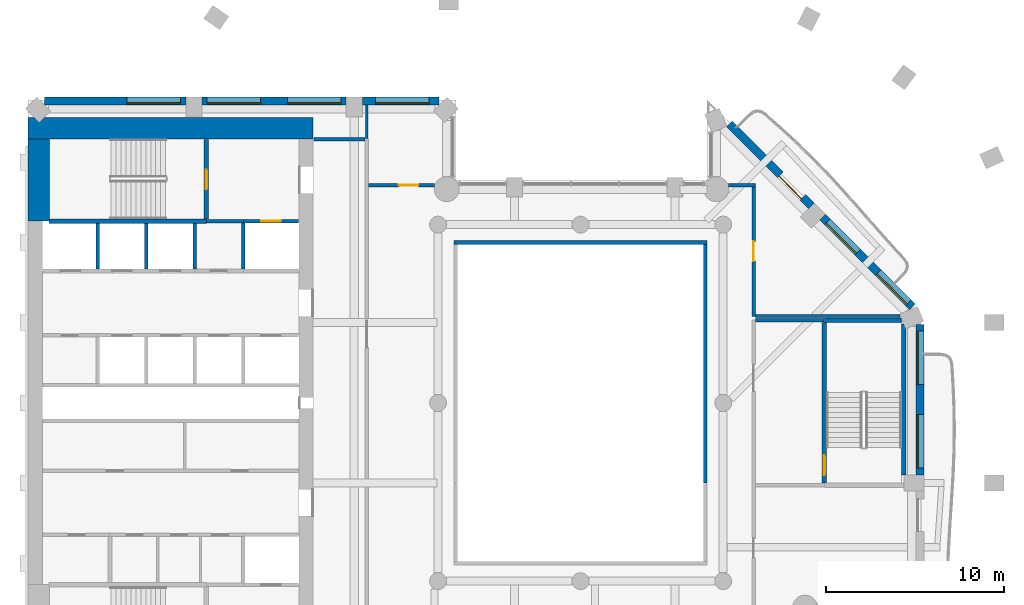
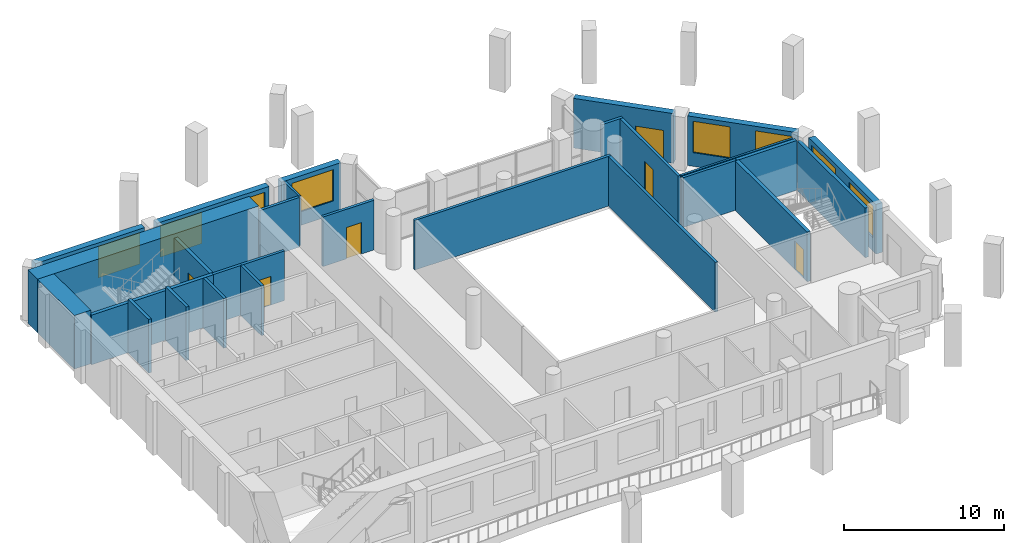
# One storey, part 6 of 13: 28 walls, 8 windows, 6 doors, 14 openings.
"""IFC4 building model written with IfcOpenShell, lengths in metres."""

from ifc_helpers import new_model, si_unit, direction, frame, frame_2d, origin, place, context, subcontext, project, spatial, rectangle, extrude, material, layer, layer_set, type_object, element, fill, save


model = new_model("IFC4")

# Units and contexts
model_context = context("Model", 3, precision=1e-05, world=origin(), true_north=direction((0.0, 1.0)))
body_context = subcontext(model_context, "Body", "Model", "MODEL_VIEW")
ifc_project = project(units=[si_unit("LENGTHUNIT", "METRE"), si_unit("AREAUNIT", "SQUARE_METRE"), si_unit("VOLUMEUNIT", "CUBIC_METRE"), si_unit("PLANEANGLEUNIT", "RADIAN"), si_unit("MASSUNIT", "GRAM", prefix="KILO")], contexts=[model_context])

# Site, building, storey
site_placement = place(None, origin())
site = spatial("IfcSite", under=ifc_project, at=site_placement, CompositionType="ELEMENT")
building_placement = place(site_placement, origin())
building = spatial("IfcBuilding", under=site, at=building_placement, Name="Cypress Arch Tower", CompositionType="ELEMENT")
storey_placement = place(building_placement, frame((0.0, 0.0, 209.699951171875)))
storey = spatial("IfcBuildingStorey", under=building, at=storey_placement, Name="L46", CompositionType="ELEMENT", Elevation=209.699951171875)

# Wall, openings, windows
ifc_material_1 = material(Name="Brick (red buff blend)", Category="masonry")
ifc_layer_1 = layer(ifc_material_1, 0.449951171875)
ifc_layer_set_1 = layer_set([ifc_layer_1], Name="Brick pier and spandrel wall BW450")
wall_type_1 = type_object("IfcWallType", Name="Brick pier and spandrel wall BW450", PredefinedType="SOLIDWALL", material=ifc_layer_set_1)
wall_1_placement = place(storey_placement, frame((20.02490234375, -4.050048828125, 0.0), z_axis=(0.0, 0.0, 1.0), x_axis=(0.0, 1.0, 0.0)))
wall_1 = element("IfcWall", 1, at=wall_1_placement, inside=storey, type_object=wall_type_1, Name="Brick wall L46 B04.1", PredefinedType="SOLIDWALL", context=body_context, shape_type="SweptSolid", body=[
    extrude(rectangle(XDim=8.438720703125, YDim=0.449951171875, at=frame_2d((4.21923828125, 0.0))), origin(), (0.0, 0.0, 1.0), 3.800048828125),
])
opening_1_placement = place(wall_1_placement, frame((0.39404296875, 0.0, 1.050048828125)))
opening_1 = element("IfcOpeningElement", 2, at=opening_1_placement, cuts=wall_1, Name="Opening W300OD", PredefinedType="OPENING", context=body_context, shape_type="SweptSolid", body=[
    extrude(rectangle(XDim=3.0, YDim=2.39990234375, at=frame_2d((1.5, 1.199951171875))), frame((0.0, 0.23486328125, 0.0), z_axis=(0.0, -1.0, 0.0), x_axis=(1.0, 0.0, 0.0)), (0.0, 0.0, 1.0), 0.469970703125),
])
opening_2_placement = place(wall_1_placement, frame((5.081787109375, 0.0, 1.050048828125)))
opening_2 = element("IfcOpeningElement", 3, at=opening_2_placement, cuts=wall_1, Name="Opening W300OD", PredefinedType="OPENING", context=body_context, shape_type="SweptSolid", body=[
    extrude(rectangle(XDim=3.0, YDim=2.39990234375, at=frame_2d((1.5, 1.199951171875))), frame((0.0, 0.23486328125, 0.0), z_axis=(0.0, -1.0, 0.0), x_axis=(1.0, 0.0, 0.0)), (0.0, 0.0, 1.0), 0.469970703125),
])
ifc_material_2 = material(Name="Anodised aluminium, bronze finish, laminated low-emissivity double glazing, large-missile impact rated", Category="aluminium")
window_type_1 = type_object("IfcWindowType", Name="Window Office 3000x2400 debris-rated", PartitioningType="SINGLE_PANEL", PredefinedType="WINDOW", material=ifc_material_2)
window_1_placement = place(opening_1_placement, origin())
window_1 = element("IfcWindow", 4, at=window_1_placement, inside=storey, type_object=window_type_1, Name="Window L46 B04.1.1", OverallHeight=2.39990234375, OverallWidth=3.0, PartitioningType="SINGLE_PANEL", PredefinedType="WINDOW", context=body_context, shape_type="SweptSolid", body=[
    extrude(rectangle(XDim=3.0, YDim=2.39990234375, at=frame_2d((1.5, 1.199951171875))), frame((0.0, 0.135009765625, 0.0), z_axis=(0.0, -1.0, 0.0), x_axis=(1.0, 0.0, 0.0)), (0.0, 0.0, 1.0), 0.06005859375),
])
fill(opening_1, window_1)
window_2_placement = place(opening_2_placement, origin())
window_2 = element("IfcWindow", 5, at=window_2_placement, inside=storey, type_object=window_type_1, Name="Window L46 B04.1.2", OverallHeight=2.39990234375, OverallWidth=3.0, PartitioningType="SINGLE_PANEL", PredefinedType="WINDOW", context=body_context, shape_type="SweptSolid", body=[
    extrude(rectangle(XDim=3.0, YDim=2.39990234375, at=frame_2d((1.5, 1.199951171875))), frame((0.0, 0.135009765625, 0.0), z_axis=(0.0, -1.0, 0.0), x_axis=(1.0, 0.0, 0.0)), (0.0, 0.0, 1.0), 0.06005859375),
])
fill(opening_2, window_2)

wall_2_placement = place(storey_placement, frame((19.61474609375, 5.379150390625, 0.0), z_axis=(0.0, 0.0, 1.0), x_axis=(-0.707089646058, 0.7071239159, 0.0)))
wall_2 = element("IfcWall", 6, at=wall_2_placement, inside=storey, type_object=wall_type_1, Name="Brick wall L46 B05.0", PredefinedType="SOLIDWALL", context=body_context, shape_type="SweptSolid", body=[
    extrude(rectangle(XDim=7.1240234375, YDim=0.449951171875, at=frame_2d((3.56201171875, 0.0))), origin(), (0.0, 0.0, 1.0), 3.800048828125),
])
opening_3_placement = place(wall_2_placement, frame((0.328125, 0.0, 1.050048828125)))
opening_3 = element("IfcOpeningElement", 7, at=opening_3_placement, cuts=wall_2, Name="Opening W240OD", PredefinedType="OPENING", context=body_context, shape_type="SweptSolid", body=[
    extrude(rectangle(XDim=2.39990234375, YDim=2.39990234375, at=frame_2d((1.199951171875, 1.199951171875))), frame((0.0, 0.23486328125, 0.0), z_axis=(0.0, -1.0, 0.0), x_axis=(1.0, 0.0, 0.0)), (0.0, 0.0, 1.0), 0.469970703125),
])
opening_4_placement = place(wall_2_placement, frame((4.358642578125, 0.0, 1.050048828125)))
opening_4 = element("IfcOpeningElement", 8, at=opening_4_placement, cuts=wall_2, Name="Opening W240OD", PredefinedType="OPENING", context=body_context, shape_type="SweptSolid", body=[
    extrude(rectangle(XDim=2.39990234375, YDim=2.39990234375, at=frame_2d((1.199951171875, 1.199951171875))), frame((0.0, 0.23486328125, 0.0), z_axis=(0.0, -1.0, 0.0), x_axis=(1.0, 0.0, 0.0)), (0.0, 0.0, 1.0), 0.469970703125),
])
ifc_material_3 = material(Name="Anodised aluminium, bronze finish, laminated low-emissivity double glazing, large-missile impact rated", Category="aluminium")
window_type_2 = type_object("IfcWindowType", Name="Window Office 2400x2400 debris-rated", PartitioningType="SINGLE_PANEL", PredefinedType="WINDOW", material=ifc_material_3)
window_3_placement = place(opening_3_placement, origin())
window_3 = element("IfcWindow", 9, at=window_3_placement, inside=storey, type_object=window_type_2, Name="Window L46 B05.0.1", OverallHeight=2.39990234375, OverallWidth=2.39990234375, PartitioningType="SINGLE_PANEL", PredefinedType="WINDOW", context=body_context, shape_type="SweptSolid", body=[
    extrude(rectangle(XDim=2.39990234375, YDim=2.39990234375, at=frame_2d((1.199951171875, 1.199951171875))), frame((0.0, 0.135009765625, 0.0), z_axis=(0.0, -1.0, 0.0), x_axis=(1.0, 0.0, 0.0)), (0.0, 0.0, 1.0), 0.06005859375),
])
fill(opening_3, window_3)
window_4_placement = place(opening_4_placement, origin())
window_4 = element("IfcWindow", 10, at=window_4_placement, inside=storey, type_object=window_type_2, Name="Window L46 B05.0.2", OverallHeight=2.39990234375, OverallWidth=2.39990234375, PartitioningType="SINGLE_PANEL", PredefinedType="WINDOW", context=body_context, shape_type="SweptSolid", body=[
    extrude(rectangle(XDim=2.39990234375, YDim=2.39990234375, at=frame_2d((1.199951171875, 1.199951171875))), frame((0.0, 0.135009765625, 0.0), z_axis=(0.0, -1.0, 0.0), x_axis=(1.0, 0.0, 0.0)), (0.0, 0.0, 1.0), 0.06005859375),
])
fill(opening_4, window_4)

# Wall, opening, door
wall_3_placement = place(storey_placement, frame((13.94091796875, 11.052978515625, 0.0), z_axis=(0.0, 0.0, 1.0), x_axis=(-0.707106781187, 0.707106781187, 0.0)))
wall_3 = element("IfcWall", 11, at=wall_3_placement, inside=storey, type_object=wall_type_1, Name="Brick wall L46 B05.1", PredefinedType="SOLIDWALL", context=body_context, shape_type="SweptSolid", body=[
    extrude(rectangle(XDim=6.505126953125, YDim=0.449951171875, at=frame_2d((3.25244140625, 0.0))), origin(), (0.0, 0.0, 1.0), 3.800048828125),
])
opening_5_placement = place(wall_3_placement, frame((0.665283203125, 0.0, 0.0)))
opening_5 = element("IfcOpeningElement", 12, at=opening_5_placement, cuts=wall_3, Name="Opening D-L46-B05.1.1", PredefinedType="OPENING", context=body_context, shape_type="SweptSolid", body=[
    extrude(rectangle(XDim=1.800048828125, YDim=2.39990234375, at=frame_2d((0.89990234375, 1.199951171875))), frame((0.0, 0.23486328125, 0.0), z_axis=(0.0, -1.0, 0.0), x_axis=(1.0, 0.0, 0.0)), (0.0, 0.0, 1.0), 0.469970703125),
])
ifc_material_4 = material(Name="Anodised aluminium, bronze finish, laminated low-emissivity double glazing, large-missile impact rated", Category="aluminium")
door_type_1 = type_object("IfcDoorType", Name="Balcony sliding door 1800x2400", OperationType="SLIDING_TO_LEFT", PredefinedType="DOOR", material=ifc_material_4)
door_1_placement = place(opening_5_placement, origin())
door_1 = element("IfcDoor", 13, at=door_1_placement, inside=storey, type_object=door_type_1, Name="Balcony door L46 B05.1.1", OperationType="SLIDING_TO_LEFT", OverallHeight=2.39990234375, OverallWidth=1.800048828125, PredefinedType="DOOR", context=body_context, shape_type="SweptSolid", body=[
    extrude(rectangle(XDim=1.800048828125, YDim=2.39990234375, at=frame_2d((0.89990234375, 1.199951171875))), frame((0.0, 0.1298828125, 0.0), z_axis=(0.0, -1.0, 0.0), x_axis=(1.0, 0.0, 0.0)), (0.0, 0.0, 1.0), 0.050048828125),
])
fill(opening_5, door_1)

# Wall, opening, window
wall_4_placement = place(storey_placement, frame((-6.936279296875, 16.925048828125, 0.0), z_axis=(0.0, 0.0, 1.0), x_axis=(-1.0, 0.0, 0.0)))
wall_4 = element("IfcWall", 14, at=wall_4_placement, inside=storey, type_object=wall_type_1, Name="Brick wall L46 B09.0", PredefinedType="SOLIDWALL", context=body_context, shape_type="SweptSolid", body=[
    extrude(rectangle(XDim=4.313720703125, YDim=0.449951171875, at=frame_2d((2.15673828125, 0.0))), origin(), (0.0, 0.0, 1.0), 3.800048828125),
])
opening_6_placement = place(wall_4_placement, frame((0.563720703125, 0.0, 1.050048828125)))
opening_6 = element("IfcOpeningElement", 15, at=opening_6_placement, cuts=wall_4, Name="Opening W300O", PredefinedType="OPENING", context=body_context, shape_type="SweptSolid", body=[
    extrude(rectangle(XDim=3.0, YDim=2.39990234375, at=frame_2d((1.5, 1.199951171875))), frame((0.0, 0.23486328125, 0.0), z_axis=(0.0, -1.0, 0.0), x_axis=(1.0, 0.0, 0.0)), (0.0, 0.0, 1.0), 0.469970703125),
])
ifc_material_5 = material(Name="Anodised aluminium, bronze finish, clear low-emissivity double glazing", Category="aluminium")
window_type_3 = type_object("IfcWindowType", Name="Window Office 3000x2400", PartitioningType="SINGLE_PANEL", PredefinedType="WINDOW", material=ifc_material_5)
window_5_placement = place(opening_6_placement, origin())
window_5 = element("IfcWindow", 16, at=window_5_placement, inside=storey, type_object=window_type_3, Name="Window L46 B09.0.1", OverallHeight=2.39990234375, OverallWidth=3.0, PartitioningType="SINGLE_PANEL", PredefinedType="WINDOW", context=body_context, shape_type="SweptSolid", body=[
    extrude(rectangle(XDim=3.0, YDim=2.39990234375, at=frame_2d((1.5, 1.199951171875))), frame((0.0, 0.135009765625, 0.0), z_axis=(0.0, -1.0, 0.0), x_axis=(1.0, 0.0, 0.0)), (0.0, 0.0, 1.0), 0.06005859375),
])
fill(opening_6, window_5)

# Wall, openings, windows
wall_5_placement = place(storey_placement, frame((-12.14990234375, 16.925048828125, 0.0), z_axis=(0.0, 0.0, 1.0), x_axis=(-1.0, 0.0, 0.0)))
wall_5 = element("IfcWall", 17, at=wall_5_placement, inside=storey, type_object=wall_type_1, Name="Brick wall L46 B09.1", PredefinedType="SOLIDWALL", context=body_context, shape_type="SweptSolid", body=[
    extrude(rectangle(XDim=8.10009765625, YDim=0.449951171875, at=frame_2d((4.050048828125, 0.0))), origin(), (0.0, 0.0, 1.0), 3.800048828125),
])
opening_7_placement = place(wall_5_placement, frame((0.300048828125, 0.0, 1.050048828125)))
opening_7 = element("IfcOpeningElement", 18, at=opening_7_placement, cuts=wall_5, Name="Opening W300O", PredefinedType="OPENING", context=body_context, shape_type="SweptSolid", body=[
    extrude(rectangle(XDim=3.0, YDim=2.39990234375, at=frame_2d((1.5, 1.199951171875))), frame((0.0, 0.23486328125, 0.0), z_axis=(0.0, -1.0, 0.0), x_axis=(1.0, 0.0, 0.0)), (0.0, 0.0, 1.0), 0.469970703125),
])
opening_8_placement = place(wall_5_placement, frame((4.800048828125, 0.0, 1.050048828125)))
opening_8 = element("IfcOpeningElement", 19, at=opening_8_placement, cuts=wall_5, Name="Opening W300O", PredefinedType="OPENING", context=body_context, shape_type="SweptSolid", body=[
    extrude(rectangle(XDim=3.0, YDim=2.39990234375, at=frame_2d((1.5, 1.199951171875))), frame((0.0, 0.23486328125, 0.0), z_axis=(0.0, -1.0, 0.0), x_axis=(1.0, 0.0, 0.0)), (0.0, 0.0, 1.0), 0.469970703125),
])
window_6_placement = place(opening_7_placement, origin())
window_6 = element("IfcWindow", 20, at=window_6_placement, inside=storey, type_object=window_type_3, Name="Window L46 B09.1.1", OverallHeight=2.39990234375, OverallWidth=3.0, PartitioningType="SINGLE_PANEL", PredefinedType="WINDOW", context=body_context, shape_type="SweptSolid", body=[
    extrude(rectangle(XDim=3.0, YDim=2.39990234375, at=frame_2d((1.5, 1.199951171875))), frame((0.0, 0.135009765625, 0.0), z_axis=(0.0, -1.0, 0.0), x_axis=(1.0, 0.0, 0.0)), (0.0, 0.0, 1.0), 0.06005859375),
])
fill(opening_7, window_6)
window_7_placement = place(opening_8_placement, origin())
window_7 = element("IfcWindow", 21, at=window_7_placement, inside=storey, type_object=window_type_3, Name="Window L46 B09.1.2", OverallHeight=2.39990234375, OverallWidth=3.0, PartitioningType="SINGLE_PANEL", PredefinedType="WINDOW", context=body_context, shape_type="SweptSolid", body=[
    extrude(rectangle(XDim=3.0, YDim=2.39990234375, at=frame_2d((1.5, 1.199951171875))), frame((0.0, 0.135009765625, 0.0), z_axis=(0.0, -1.0, 0.0), x_axis=(1.0, 0.0, 0.0)), (0.0, 0.0, 1.0), 0.06005859375),
])
fill(opening_8, window_7)

# Wall, opening, window
wall_6_placement = place(storey_placement, frame((-21.14990234375, 16.925048828125, 0.0), z_axis=(0.0, 0.0, 1.0), x_axis=(-1.0, 0.0, 0.0)))
wall_6 = element("IfcWall", 22, at=wall_6_placement, inside=storey, type_object=wall_type_1, Name="Brick wall L46 B09.2", PredefinedType="SOLIDWALL", context=body_context, shape_type="SweptSolid", body=[
    extrude(rectangle(XDim=7.913818359375, YDim=0.449951171875, at=frame_2d((3.95703125, 0.0))), origin(), (0.0, 0.0, 1.0), 3.800048828125),
])
opening_9_placement = place(wall_6_placement, frame((0.300048828125, 0.0, 1.050048828125)))
opening_9 = element("IfcOpeningElement", 23, at=opening_9_placement, cuts=wall_6, Name="Opening W300O", PredefinedType="OPENING", context=body_context, shape_type="SweptSolid", body=[
    extrude(rectangle(XDim=3.0, YDim=2.39990234375, at=frame_2d((1.5, 1.199951171875))), frame((0.0, 0.23486328125, 0.0), z_axis=(0.0, -1.0, 0.0), x_axis=(1.0, 0.0, 0.0)), (0.0, 0.0, 1.0), 0.469970703125),
])
window_8_placement = place(opening_9_placement, origin())
window_8 = element("IfcWindow", 24, at=window_8_placement, inside=storey, type_object=window_type_3, Name="Window L46 B09.2.1", OverallHeight=2.39990234375, OverallWidth=3.0, PartitioningType="SINGLE_PANEL", PredefinedType="WINDOW", context=body_context, shape_type="SweptSolid", body=[
    extrude(rectangle(XDim=3.0, YDim=2.39990234375, at=frame_2d((1.5, 1.199951171875))), frame((0.0, 0.135009765625, 0.0), z_axis=(0.0, -1.0, 0.0), x_axis=(1.0, 0.0, 0.0)), (0.0, 0.0, 1.0), 0.06005859375),
])
fill(opening_9, window_8)

# Walls
ifc_material_6 = material(Name="Concrete C70/85", Category="concrete")
ifc_layer_2 = layer(ifc_material_6, 1.199951171875)
ifc_layer_set_2 = layer_set([ifc_layer_2], Name="Core wall CW1200 C70/85")
wall_type_2 = type_object("IfcWallType", Name="Core wall CW1200 C70/85", PredefinedType="SHEAR", material=ifc_layer_set_2)
wall_7_placement = place(storey_placement, frame((-30.0, 15.39990234375, 0.0), z_axis=(0.0, 0.0, 1.0), x_axis=(1.0, 0.0, 0.0)))
element("IfcWall", 25, at=wall_7_placement, inside=storey, type_object=wall_type_2, Name="Core wall", PredefinedType="SHEAR", context=body_context, shape_type="SweptSolid", body=[
    extrude(rectangle(XDim=16.0, YDim=1.199951171875, at=frame_2d((8.0, 0.0))), origin(), (0.0, 0.0, 1.0), 4.10009765625),
])
wall_8_placement = place(storey_placement, frame((-29.39990234375, 10.199951171875, 0.0), z_axis=(0.0, 0.0, 1.0), x_axis=(0.0, 1.0, 0.0)))
element("IfcWall", 26, at=wall_8_placement, inside=storey, type_object=wall_type_2, Name="Core wall", PredefinedType="SHEAR", context=body_context, shape_type="SweptSolid", body=[
    extrude(rectangle(XDim=4.60009765625, YDim=1.199951171875, at=frame_2d((2.300048828125, 0.0))), origin(), (0.0, 0.0, 1.0), 4.10009765625),
])
ifc_material_7 = material(Name="Concrete blockwork, plastered, rated", Category="masonry")
ifc_layer_3 = layer(ifc_material_7, 0.199951171875)
ifc_layer_set_3 = layer_set([ifc_layer_3], Name="Corridor wall FW200")
wall_type_3 = type_object("IfcWallType", Name="Corridor wall FW200", PredefinedType="PARTITIONING", material=ifc_layer_set_3)
wall_9_placement = place(storey_placement, frame((-20.0, 10.199951171875, 0.0), z_axis=(0.0, 0.0, 1.0), x_axis=(1.0, 0.0, 0.0)))
element("IfcWall", 27, at=wall_9_placement, inside=storey, type_object=wall_type_3, Name="Corridor wall", PredefinedType="PARTITIONING", context=body_context, shape_type="SweptSolid", body=[
    extrude(rectangle(XDim=2.080078125, YDim=0.199951171875, at=frame_2d((1.0400390625, 0.0))), origin(), (0.0, 0.0, 1.0), 3.800048828125),
])
wall_10_placement = place(storey_placement, frame((-13.969970703125, 14.800048828125, 0.0), z_axis=(0.0, 0.0, 1.0), x_axis=(1.0, 0.0, 0.0)))
element("IfcWall", 28, at=wall_10_placement, inside=storey, type_object=wall_type_3, Name="Corridor wall", PredefinedType="PARTITIONING", context=body_context, shape_type="SweptSolid", body=[
    extrude(rectangle(XDim=2.869873046875, YDim=0.199951171875, at=frame_2d((1.43505859375, 0.0))), origin(), (0.0, 0.0, 1.0), 3.800048828125),
])

# Wall, opening, door
wall_11_placement = place(storey_placement, frame((-10.89990234375, 12.199951171875, 0.0), z_axis=(0.0, 0.0, 1.0), x_axis=(1.0, 0.0, 0.0)))
wall_11 = element("IfcWall", 29, at=wall_11_placement, inside=storey, type_object=wall_type_3, Name="Corridor wall", PredefinedType="PARTITIONING", context=body_context, shape_type="SweptSolid", body=[
    extrude(rectangle(XDim=3.7041015625, YDim=0.199951171875, at=frame_2d((1.85205078125, 0.0))), origin(), (0.0, 0.0, 1.0), 3.800048828125),
])
opening_10_placement = place(wall_11_placement, frame((1.699951171875, 0.0, 0.0)))
opening_10 = element("IfcOpeningElement", 30, at=opening_10_placement, cuts=wall_11, Name="Opening D01", PredefinedType="OPENING", context=body_context, shape_type="SweptSolid", body=[
    extrude(rectangle(XDim=1.10009765625, YDim=2.39990234375, at=frame_2d((0.550048828125, 1.199951171875))), frame((0.0, 0.10986328125, 0.0), z_axis=(0.0, -1.0, 0.0), x_axis=(1.0, 0.0, 0.0)), (0.0, 0.0, 1.0), 0.219970703125),
])
ifc_material_8 = material(Name="Timber flush door, fire resisting, self-closing", Category="wood")
door_type_2 = type_object("IfcDoorType", Name="Unit entrance door D01 1100x2400", OperationType="SINGLE_SWING_LEFT", PredefinedType="DOOR", material=ifc_material_8)
door_2_placement = place(opening_10_placement, origin())
door_2 = element("IfcDoor", 31, at=door_2_placement, inside=storey, type_object=door_type_2, Name="Unit entrance door", OperationType="SINGLE_SWING_RIGHT", OverallHeight=2.39990234375, OverallWidth=1.10009765625, PredefinedType="DOOR", context=body_context, shape_type="SweptSolid", body=[
    extrude(rectangle(XDim=1.10009765625, YDim=2.39990234375, at=frame_2d((0.550048828125, 1.199951171875))), frame((0.0, 0.02490234375, 0.0), z_axis=(0.0, -1.0, 0.0), x_axis=(1.0, 0.0, 0.0)), (0.0, 0.0, 1.0), 0.050048828125),
])
fill(opening_10, door_2)

# Walls
wall_12_placement = place(storey_placement, frame((-6.10009765625, 9.0, 0.0), z_axis=(0.0, 0.0, 1.0), x_axis=(1.0, 0.0, 0.0)))
element("IfcWall", 32, at=wall_12_placement, inside=storey, type_object=wall_type_3, Name="Corridor wall", PredefinedType="PARTITIONING", context=body_context, shape_type="SweptSolid", body=[
    extrude(rectangle(XDim=14.2001953125, YDim=0.199951171875, at=frame_2d((7.10009765625, 0.0))), origin(), (0.0, 0.0, 1.0), 3.800048828125),
])
wall_13_placement = place(storey_placement, frame((8.0, -4.47998046875, 0.0), z_axis=(0.0, 0.0, 1.0), x_axis=(0.0, 1.0, 0.0)))
element("IfcWall", 33, at=wall_13_placement, inside=storey, type_object=wall_type_3, Name="Corridor wall", PredefinedType="PARTITIONING", context=body_context, shape_type="SweptSolid", body=[
    extrude(rectangle(XDim=13.3798828125, YDim=0.199951171875, at=frame_2d((6.68994140625, 0.0))), origin(), (0.0, 0.0, 1.0), 3.800048828125),
])
wall_14_placement = place(storey_placement, frame((9.295654296875, 12.199951171875, 0.0), z_axis=(0.0, 0.0, 1.0), x_axis=(1.0, 0.0, 0.0)))
element("IfcWall", 34, at=wall_14_placement, inside=storey, type_object=wall_type_3, Name="Corridor wall", PredefinedType="PARTITIONING", context=body_context, shape_type="SweptSolid", body=[
    extrude(rectangle(XDim=1.50439453125, YDim=0.199951171875, at=frame_2d((0.752197265625, 0.0))), origin(), (0.0, 0.0, 1.0), 3.800048828125),
])

# Wall, opening, door
wall_15_placement = place(storey_placement, frame((10.699951171875, 4.85595703125, 0.0), z_axis=(0.0, 0.0, 1.0), x_axis=(0.0, 1.0, 0.0)))
wall_15 = element("IfcWall", 35, at=wall_15_placement, inside=storey, type_object=wall_type_3, Name="Corridor wall", PredefinedType="PARTITIONING", context=body_context, shape_type="SweptSolid", body=[
    extrude(rectangle(XDim=7.244140625, YDim=0.199951171875, at=frame_2d((3.6220703125, 0.0))), origin(), (0.0, 0.0, 1.0), 3.800048828125),
])
opening_11_placement = place(wall_15_placement, frame((3.10009765625, 0.0, 0.0)))
opening_11 = element("IfcOpeningElement", 36, at=opening_11_placement, cuts=wall_15, Name="Opening D01", PredefinedType="OPENING", context=body_context, shape_type="SweptSolid", body=[
    extrude(rectangle(XDim=1.10009765625, YDim=2.39990234375, at=frame_2d((0.550048828125, 1.199951171875))), frame((0.0, 0.10986328125, 0.0), z_axis=(0.0, -1.0, 0.0), x_axis=(1.0, 0.0, 0.0)), (0.0, 0.0, 1.0), 0.219970703125),
])
door_3_placement = place(opening_11_placement, origin())
door_3 = element("IfcDoor", 37, at=door_3_placement, inside=storey, type_object=door_type_2, Name="Unit entrance door", OperationType="SINGLE_SWING_LEFT", OverallHeight=2.39990234375, OverallWidth=1.10009765625, PredefinedType="DOOR", context=body_context, shape_type="SweptSolid", body=[
    extrude(rectangle(XDim=1.10009765625, YDim=2.39990234375, at=frame_2d((0.550048828125, 1.199951171875))), frame((0.0, 0.02490234375, 0.0), z_axis=(0.0, -1.0, 0.0), x_axis=(1.0, 0.0, 0.0)), (0.0, 0.0, 1.0), 0.050048828125),
])
fill(opening_11, door_3)

# Walls
wall_16_placement = place(storey_placement, frame((10.820068359375, 4.625, 0.0), z_axis=(0.0, 0.0, 1.0), x_axis=(1.0, 0.0, 0.0)))
element("IfcWall", 38, at=wall_16_placement, inside=storey, type_object=wall_type_3, Name="Corridor wall", PredefinedType="PARTITIONING", context=body_context, shape_type="SweptSolid", body=[
    extrude(rectangle(XDim=3.8349609375, YDim=0.199951171875, at=frame_2d((1.91748046875, 0.0))), origin(), (0.0, 0.0, 1.0), 3.800048828125),
])
ifc_material_9 = material(Name="Blockwork, plastered both sides", Category="masonry")
ifc_layer_4 = layer(ifc_material_9, 0.14990234375)
ifc_layer_set_4 = layer_set([ifc_layer_4], Name="Partition PW150")
wall_type_4 = type_object("IfcWallType", Name="Partition PW150", PredefinedType="PARTITIONING", material=ifc_layer_set_4)
wall_17_placement = place(storey_placement, frame((-11.0, 14.820068359375, 0.0), z_axis=(0.0, 0.0, 1.0), x_axis=(0.0, 1.0, 0.0)))
element("IfcWall", 39, at=wall_17_placement, inside=storey, type_object=wall_type_4, Name="Partition", PredefinedType="PARTITIONING", context=body_context, shape_type="SweptSolid", body=[
    extrude(rectangle(XDim=1.8798828125, YDim=0.14990234375, at=frame_2d((0.93994140625, 0.0))), origin(), (0.0, 0.0, 1.0), 3.800048828125),
])
wall_18_placement = place(storey_placement, frame((10.820068359375, 4.8759765625, 0.0), z_axis=(0.0, 0.0, 1.0), x_axis=(1.0, 0.0, 0.0)))
element("IfcWall", 40, at=wall_18_placement, inside=storey, type_object=wall_type_4, Name="Partition", PredefinedType="PARTITIONING", context=body_context, shape_type="SweptSolid", body=[
    extrude(rectangle(XDim=8.0947265625, YDim=0.14990234375, at=frame_2d((4.04736328125, 0.0))), origin(), (0.0, 0.0, 1.0), 3.800048828125),
])
ifc_material_10 = material(Name="Concrete C50/60", Category="concrete")
ifc_layer_5 = layer(ifc_material_10, 0.199951171875)
ifc_layer_set_5 = layer_set([ifc_layer_5], Name="Shaft wall SH200")
wall_type_5 = type_object("IfcWallType", Name="Shaft wall SH200", PredefinedType="SHEAR", material=ifc_layer_set_5)
for number, where, z_axis, x_axis, name in (
    (41, (-26.080078125, 7.5, 0.0), (0.0, 0.0, 1.0), (0.0, 1.0, 0.0), "Shaft wall"),
    (42, (-23.360107421875, 7.5, 0.0), (0.0, 0.0, 1.0), (0.0, 1.0, 0.0), "Shaft wall"),
):
    element("IfcWall", number, at=place(storey_placement, frame(where, z_axis=z_axis, x_axis=x_axis)), inside=storey, type_object=wall_type_5, Name=name, PredefinedType="SHEAR", context=body_context, shape_type="SweptSolid", body=[
        extrude(rectangle(XDim=2.574951171875, YDim=0.199951171875, at=frame_2d((1.28759765625, 0.0))), origin(), (0.0, 0.0, 1.0), 4.10009765625),
    ])
wall_19_placement = place(storey_placement, frame((-20.639892578125, 7.5, 0.0), z_axis=(0.0, 0.0, 1.0), x_axis=(0.0, 1.0, 0.0)))
element("IfcWall", 43, at=wall_19_placement, inside=storey, type_object=wall_type_5, Name="Shaft wall", PredefinedType="SHEAR", context=body_context, shape_type="SweptSolid", body=[
    extrude(rectangle(XDim=2.574951171875, YDim=0.199951171875, at=frame_2d((1.28759765625, 0.0))), origin(), (0.0, 0.0, 1.0), 3.800048828125),
])
wall_20_placement = place(storey_placement, frame((-17.919921875, 7.5, 0.0), z_axis=(0.0, 0.0, 1.0), x_axis=(0.0, 1.0, 0.0)))
element("IfcWall", 44, at=wall_20_placement, inside=storey, type_object=wall_type_5, Name="Shaft wall", PredefinedType="SHEAR", context=body_context, shape_type="SweptSolid", body=[
    extrude(rectangle(XDim=2.60009765625, YDim=0.199951171875, at=frame_2d((1.300048828125, 0.0))), origin(), (0.0, 0.0, 1.0), 3.800048828125),
])

# Wall, opening, door
wall_21_placement = place(storey_placement, frame((-17.919921875, 10.199951171875, 0.0), z_axis=(0.0, 0.0, 1.0), x_axis=(1.0, 0.0, 0.0)))
wall_21 = element("IfcWall", 45, at=wall_21_placement, inside=storey, type_object=wall_type_5, Name="Shaft wall", PredefinedType="SHEAR", context=body_context, shape_type="SweptSolid", body=[
    extrude(rectangle(XDim=3.08984375, YDim=0.199951171875, at=frame_2d((1.544921875, 0.0))), origin(), (0.0, 0.0, 1.0), 3.800048828125),
])
opening_12_placement = place(wall_21_placement, frame((1.0, 0.0, 0.0)))
opening_12 = element("IfcOpeningElement", 46, at=opening_12_placement, cuts=wall_21, Name="Opening LD-FL2", PredefinedType="OPENING", context=body_context, shape_type="SweptSolid", body=[
    extrude(rectangle(XDim=1.10009765625, YDim=2.199951171875, at=frame_2d((0.550048828125, 1.10009765625))), frame((0.0, 0.10986328125, 0.0), z_axis=(0.0, -1.0, 0.0), x_axis=(1.0, 0.0, 0.0)), (0.0, 0.0, 1.0), 0.219970703125),
])
ifc_material_11 = material(Name="Stainless steel centre-opening landing door, rated", Category="steel")
door_type_3 = type_object("IfcDoorType", Name="Lift landing door LD 1100x2200", OperationType="DOUBLE_DOOR_SLIDING", PredefinedType="DOOR", material=ifc_material_11)
door_4_placement = place(opening_12_placement, origin())
door_4 = element("IfcDoor", 47, at=door_4_placement, inside=storey, type_object=door_type_3, Name="Lift landing doors FL2", OperationType="DOUBLE_DOOR_SLIDING", OverallHeight=2.199951171875, OverallWidth=1.10009765625, PredefinedType="DOOR", context=body_context, shape_type="SweptSolid", body=[
    extrude(rectangle(XDim=1.10009765625, YDim=2.199951171875, at=frame_2d((0.550048828125, 1.10009765625))), frame((0.0, 0.02490234375, 0.0), z_axis=(0.0, -1.0, 0.0), x_axis=(1.0, 0.0, 0.0)), (0.0, 0.0, 1.0), 0.050048828125),
])
fill(opening_12, door_4)

# Wall
ifc_material_12 = material(Name="Concrete C50/60", Category="concrete")
ifc_layer_6 = layer(ifc_material_12, 0.25)
ifc_layer_set_6 = layer_set([ifc_layer_6], Name="Stair enclosure wall SW250")
wall_type_6 = type_object("IfcWallType", Name="Stair enclosure wall SW250", PredefinedType="SHEAR", material=ifc_layer_set_6)
wall_22_placement = place(storey_placement, frame((-28.81005859375, 10.199951171875, 0.0), z_axis=(0.0, 0.0, 1.0), x_axis=(1.0, 0.0, 0.0)))
element("IfcWall", 48, at=wall_22_placement, inside=storey, type_object=wall_type_6, Name="Stair enclosure wall", PredefinedType="SHEAR", context=body_context, shape_type="SweptSolid", body=[
    extrude(rectangle(XDim=8.81005859375, YDim=0.25, at=frame_2d((4.405029296875, 0.0))), origin(), (0.0, 0.0, 1.0), 3.800048828125),
])

# Wall, opening, door
wall_23_placement = place(storey_placement, frame((-20.0, 10.324951171875, 0.0), z_axis=(0.0, 0.0, 1.0), x_axis=(0.0, 1.0, 0.0)))
wall_23 = element("IfcWall", 49, at=wall_23_placement, inside=storey, type_object=wall_type_6, Name="Stair enclosure wall", PredefinedType="SHEAR", context=body_context, shape_type="SweptSolid", body=[
    extrude(rectangle(XDim=4.445068359375, YDim=0.25, at=frame_2d((2.22265625, 0.0))), origin(), (0.0, 0.0, 1.0), 3.800048828125),
])
opening_13_placement = place(wall_23_placement, frame((1.64990234375, 0.0, 0.0)))
opening_13 = element("IfcOpeningElement", 50, at=opening_13_placement, cuts=wall_23, Name="Opening D06", PredefinedType="OPENING", context=body_context, shape_type="SweptSolid", body=[
    extrude(rectangle(XDim=1.10009765625, YDim=2.199951171875, at=frame_2d((0.550048828125, 1.10009765625))), frame((0.0, 0.135009765625, 0.0), z_axis=(0.0, -1.0, 0.0), x_axis=(1.0, 0.0, 0.0)), (0.0, 0.0, 1.0), 0.27001953125),
])
ifc_material_13 = material(Name="Steel door, fire resisting, panic bar", Category="steel")
door_type_4 = type_object("IfcDoorType", Name="Stair door D06 1100x2200", OperationType="SINGLE_SWING_LEFT", PredefinedType="DOOR", material=ifc_material_13)
door_5_placement = place(opening_13_placement, origin())
door_5 = element("IfcDoor", 51, at=door_5_placement, inside=storey, type_object=door_type_4, Name="Stair door", OperationType="SINGLE_SWING_LEFT", OverallHeight=2.199951171875, OverallWidth=1.10009765625, PredefinedType="DOOR", context=body_context, shape_type="SweptSolid", body=[
    extrude(rectangle(XDim=1.10009765625, YDim=2.199951171875, at=frame_2d((0.550048828125, 1.10009765625))), frame((0.0, 0.02490234375, 0.0), z_axis=(0.0, -1.0, 0.0), x_axis=(1.0, 0.0, 0.0)), (0.0, 0.0, 1.0), 0.050048828125),
])
fill(opening_13, door_5)

wall_24_placement = place(storey_placement, frame((14.675048828125, -4.5, 0.0), z_axis=(0.0, 0.0, 1.0), x_axis=(0.0, 1.0, 0.0)))
wall_24 = element("IfcWall", 52, at=wall_24_placement, inside=storey, type_object=wall_type_6, Name="Stair enclosure wall", PredefinedType="SHEAR", context=body_context, shape_type="SweptSolid", body=[
    extrude(rectangle(XDim=9.0, YDim=0.25, at=frame_2d((4.5, 0.0))), origin(), (0.0, 0.0, 1.0), 3.800048828125),
])
opening_14_placement = place(wall_24_placement, frame((0.449951171875, 0.0, 0.0)))
opening_14 = element("IfcOpeningElement", 53, at=opening_14_placement, cuts=wall_24, Name="Opening D06", PredefinedType="OPENING", context=body_context, shape_type="SweptSolid", body=[
    extrude(rectangle(XDim=1.10009765625, YDim=2.199951171875, at=frame_2d((0.550048828125, 1.10009765625))), frame((0.0, 0.135009765625, 0.0), z_axis=(0.0, -1.0, 0.0), x_axis=(1.0, 0.0, 0.0)), (0.0, 0.0, 1.0), 0.27001953125),
])
door_6_placement = place(opening_14_placement, origin())
door_6 = element("IfcDoor", 54, at=door_6_placement, inside=storey, type_object=door_type_4, Name="Stair door", OperationType="SINGLE_SWING_RIGHT", OverallHeight=2.199951171875, OverallWidth=1.10009765625, PredefinedType="DOOR", context=body_context, shape_type="SweptSolid", body=[
    extrude(rectangle(XDim=1.10009765625, YDim=2.199951171875, at=frame_2d((0.550048828125, 1.10009765625))), frame((0.0, 0.02490234375, 0.0), z_axis=(0.0, -1.0, 0.0), x_axis=(1.0, 0.0, 0.0)), (0.0, 0.0, 1.0), 0.050048828125),
])
fill(opening_14, door_6)

# Walls
wall_25_placement = place(storey_placement, frame((14.675048828125, 4.625, 0.0), z_axis=(0.0, 0.0, 1.0), x_axis=(1.0, 0.0, 0.0)))
element("IfcWall", 55, at=wall_25_placement, inside=storey, type_object=wall_type_6, Name="Stair enclosure wall", PredefinedType="SHEAR", context=body_context, shape_type="SweptSolid", body=[
    extrude(rectangle(XDim=4.32373046875, YDim=0.25, at=frame_2d((2.161865234375, 0.0))), origin(), (0.0, 0.0, 1.0), 3.800048828125),
])
wall_26_placement = place(storey_placement, frame((19.125, -4.050048828125, 0.0), z_axis=(0.0, 0.0, 1.0), x_axis=(0.0, 1.0, 0.0)))
element("IfcWall", 56, at=wall_26_placement, inside=storey, type_object=wall_type_6, Name="Stair enclosure wall", PredefinedType="SHEAR", context=body_context, shape_type="SweptSolid", body=[
    extrude(rectangle(XDim=8.4765625, YDim=0.25, at=frame_2d((4.23828125, 0.0))), origin(), (0.0, 0.0, 1.0), 3.800048828125),
])

save(model, "model.ifc")
